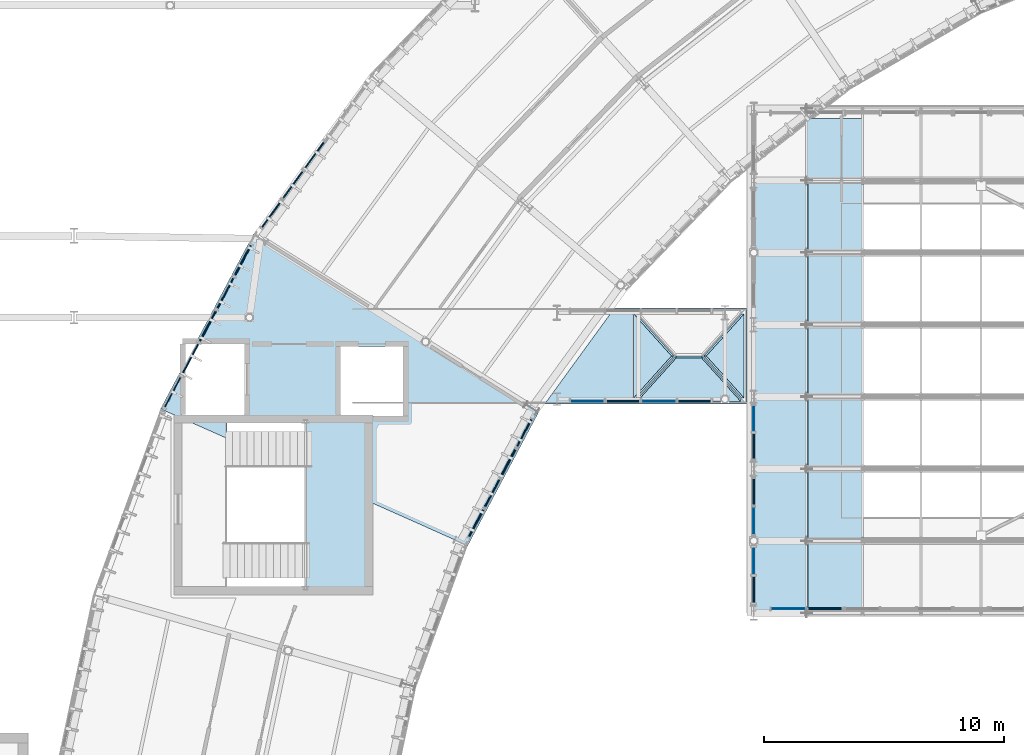
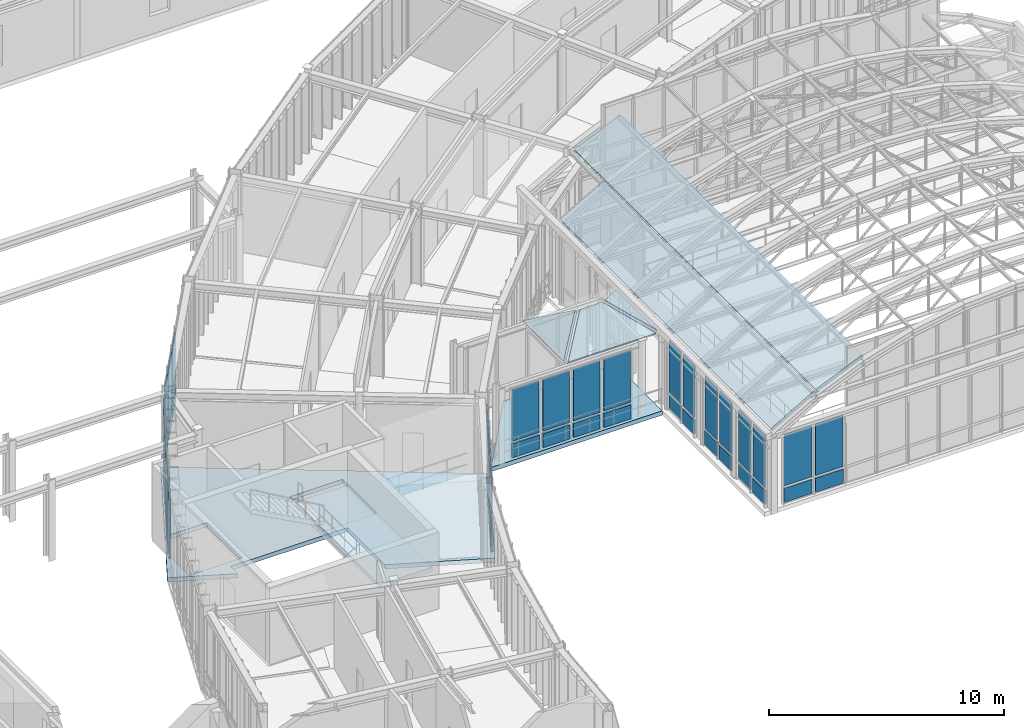
# One storey, part 95 of 148: 47 plates, 8 slabs, 9 elements without a shape of their own.
"""IFC4 building model written with IfcOpenShell, lengths in metres."""

from ifc_helpers import new_model, si_unit, direction, frame, origin, origin_2d, place, context, subcontext, project, spatial, polyline, rectangle, outline, extrude, material, layer, layer_set, type_object, element, aggregate, save


model = new_model("IFC4")

# Units and contexts
model_context = context("Model", 3, precision=1e-05, world=origin(), true_north=direction((0.0, 1.0)))
body_context = subcontext(model_context, "Body", "Model", "MODEL_VIEW")
ifc_project = project(units=[si_unit("LENGTHUNIT", "METRE"), si_unit("AREAUNIT", "SQUARE_METRE"), si_unit("VOLUMEUNIT", "CUBIC_METRE"), si_unit("PLANEANGLEUNIT", "RADIAN"), si_unit("MASSUNIT", "GRAM", prefix="KILO"), si_unit("THERMODYNAMICTEMPERATUREUNIT", "KELVIN"), si_unit("POWERUNIT", "WATT")], contexts=[model_context])

# Site, building, storey
site_placement = place(None, origin())
site = spatial("IfcSite", under=ifc_project, at=site_placement, CompositionType="ELEMENT")
building_placement = place(site_placement, origin())
building = spatial("IfcBuilding", under=site, at=building_placement, Name="Solvatero Civic Police Headquarters", CompositionType="ELEMENT")
storey_placement = place(building_placement, frame((0.0, 0.0, 5.10009765625)))
storey = spatial("IfcBuildingStorey", under=building, at=storey_placement, Name="L01", CompositionType="ELEMENT", Elevation=5.10009765625)

# Curtain wall, plates
ifc_material_1 = material(Name="Anodized Bronze Aluminium", Category="aluminium")
ifc_layer_1 = layer(ifc_material_1, 0.179931640625)
ifc_layer_set_1 = layer_set([ifc_layer_1], Name="Anodized Bronze Aluminium")
curtain_wall_type_1 = type_object("IfcCurtainWallType", Name="CW-ARC-OUT", PredefinedType="USERDEFINED", material=ifc_layer_set_1)
curtain_wall_1_placement = place(storey_placement, origin())
curtain_wall_1 = element("IfcCurtainWall", 1, at=curtain_wall_1_placement, inside=storey, type_object=curtain_wall_type_1, Name="Curtain Wall CW-R2-L01-ARC-OUT-B08", ObjectType="UNITISED", PredefinedType="USERDEFINED")
ifc_material_2 = material(Name="Triple Low-E Laminated Glass", Category="glass")
ifc_layer_2 = layer(ifc_material_2, 0.0380859375)
ifc_layer_set_2 = layer_set([ifc_layer_2], Name="Triple Low-E Laminated Glass")
plate_type_1 = type_object("IfcPlateType", Name="CWP-GLZ-38", PredefinedType="CURTAIN_PANEL", material=ifc_layer_set_2)
plate_1_placement = place(storey_placement, frame((46.495361328125, 60.5439453125, 0.91015625), z_axis=(0.0, 0.0, 1.0), x_axis=(-0.587785252292, -0.809016994375, 0.0)))
plate_1 = element("IfcPlate", 2, at=plate_1_placement, type_object=plate_type_1, Name="CW-R2-L01-ARC-OUT-B08 Vision Glazing 3", PredefinedType="CURTAIN_PANEL", context=body_context, shape_type="SweptSolid", body=[
    extrude(rectangle(XDim=1.326171875, YDim=0.0380859375, at=origin_2d()), origin(), (0.0, 0.0, 1.0), 2.969970703125),
])
plate_2_placement = place(storey_placement, frame((44.724853515625, 58.10693359375, 0.91015625), z_axis=(0.0, 0.0, 1.0), x_axis=(-0.587785252292, -0.809016994375, 0.0)))
plate_2 = element("IfcPlate", 3, at=plate_2_placement, type_object=plate_type_1, Name="CW-R2-L01-ARC-OUT-B08 Vision Glazing 5", PredefinedType="CURTAIN_PANEL", context=body_context, shape_type="SweptSolid", body=[
    extrude(rectangle(XDim=1.326171875, YDim=0.0380859375, at=origin_2d()), origin(), (0.0, 0.0, 1.0), 2.969970703125),
])

curtain_wall_2_placement = place(storey_placement, origin())
curtain_wall_2 = element("IfcCurtainWall", 4, at=curtain_wall_2_placement, inside=storey, type_object=curtain_wall_type_1, Name="Curtain Wall CW-R2-L01-ARC-OUT-B09", ObjectType="UNITISED", PredefinedType="USERDEFINED")
plate_3_placement = place(storey_placement, frame((42.798095703125, 54.8154296875, 0.91015625), z_axis=(0.0, 0.0, 1.0), x_axis=(-0.469471562786, -0.882947592859, 0.0)))
plate_3 = element("IfcPlate", 5, at=plate_3_placement, type_object=plate_type_1, Name="CW-R2-L01-ARC-OUT-B09 Vision Glazing 2", PredefinedType="CURTAIN_PANEL", context=body_context, shape_type="SweptSolid", body=[
    extrude(rectangle(XDim=1.377685546875, YDim=0.0380859375, at=origin_2d()), origin(), (0.0, 0.0, 1.0), 2.969970703125),
])
plate_4_placement = place(storey_placement, frame((41.33544921875, 52.064697265625, 0.91015625), z_axis=(0.0, 0.0, 1.0), x_axis=(-0.469471562786, -0.882947592859, 0.0)))
plate_4 = element("IfcPlate", 6, at=plate_4_placement, type_object=plate_type_1, Name="CW-R2-L01-ARC-OUT-B09 Vision Glazing 4", PredefinedType="CURTAIN_PANEL", context=body_context, shape_type="SweptSolid", body=[
    extrude(rectangle(XDim=1.377685546875, YDim=0.0380859375, at=origin_2d()), origin(), (0.0, 0.0, 1.0), 2.969970703125),
])

ifc_layer_3 = layer(ifc_material_1, 0.179931640625)
ifc_layer_set_3 = layer_set([ifc_layer_3], Name="Anodized Bronze Aluminium")
curtain_wall_type_2 = type_object("IfcCurtainWallType", Name="CW-ARC-IN", PredefinedType="USERDEFINED", material=ifc_layer_set_3)
curtain_wall_3_placement = place(storey_placement, origin())
curtain_wall_3 = element("IfcCurtainWall", 7, at=curtain_wall_3_placement, inside=storey, type_object=curtain_wall_type_2, Name="Curtain Wall CW-R2-L01-ARC-IN-B09", ObjectType="UNITISED", PredefinedType="USERDEFINED")
plate_5_placement = place(storey_placement, frame((55.250244140625, 48.996337890625, 0.91015625), z_axis=(0.0, 0.0, 1.0), x_axis=(-0.469471562786, -0.882947592859, 0.0)))
plate_5 = element("IfcPlate", 8, at=plate_5_placement, type_object=plate_type_1, Name="CW-R2-L01-ARC-IN-B09 Vision Glazing 1", PredefinedType="CURTAIN_PANEL", context=body_context, shape_type="SweptSolid", body=[
    extrude(rectangle(XDim=1.2412109375, YDim=0.0380859375, at=origin_2d()), origin(), (0.0, 0.0, 1.0), 2.969970703125),
])
plate_6_placement = place(storey_placement, frame((53.915771484375, 46.48681640625, 0.91015625), z_axis=(0.0, 0.0, 1.0), x_axis=(-0.469471562786, -0.882947592859, 0.0)))
plate_6 = element("IfcPlate", 9, at=plate_6_placement, type_object=plate_type_1, Name="CW-R2-L01-ARC-IN-B09 Vision Glazing 3", PredefinedType="CURTAIN_PANEL", context=body_context, shape_type="SweptSolid", body=[
    extrude(rectangle(XDim=1.2412109375, YDim=0.0380859375, at=origin_2d()), origin(), (0.0, 0.0, 1.0), 2.969970703125),
])

# Curtain wall, plate
ifc_layer_4 = layer(ifc_material_1, 0.179931640625)
ifc_layer_set_4 = layer_set([ifc_layer_4], Name="Anodized Bronze Aluminium")
curtain_wall_type_3 = type_object("IfcCurtainWallType", Name="CW-HAL-GLZ", PredefinedType="USERDEFINED", material=ifc_layer_set_4)
curtain_wall_4_placement = place(storey_placement, origin())
curtain_wall_4 = element("IfcCurtainWall", 10, at=curtain_wall_4_placement, inside=storey, type_object=curtain_wall_type_3, Name="Curtain Wall CW-R2-L01-V2-W-B1", ObjectType="UNITISED", PredefinedType="USERDEFINED")
plate_7_placement = place(storey_placement, frame((64.800048828125, 43.68359375, 0.909912109375), z_axis=(0.0, 0.0, 1.0), x_axis=(0.0, 1.0, 0.0)))
plate_7 = element("IfcPlate", 11, at=plate_7_placement, type_object=plate_type_1, Name="CW-R2-L01-V2-W-B1 Vision Glazing 2", PredefinedType="CURTAIN_PANEL", context=body_context, shape_type="SweptSolid", body=[
    extrude(rectangle(XDim=1.049072265625, YDim=0.0380859375, at=origin_2d()), origin(), (0.0, 0.0, 1.0), 2.68994140625),
])

curtain_wall_5_placement = place(storey_placement, origin())
curtain_wall_5 = element("IfcCurtainWall", 12, at=curtain_wall_5_placement, inside=storey, type_object=curtain_wall_type_3, Name="Curtain Wall CW-R2-L01-V2-W-B2", ObjectType="UNITISED", PredefinedType="USERDEFINED")
plate_8_placement = place(storey_placement, frame((64.800048828125, 45.31396484375, 0.909912109375), z_axis=(0.0, 0.0, 1.0), x_axis=(0.0, 1.0, 0.0)))
plate_8 = element("IfcPlate", 13, at=plate_8_placement, type_object=plate_type_1, Name="CW-R2-L01-V2-W-B2 Vision Glazing 1", PredefinedType="CURTAIN_PANEL", context=body_context, shape_type="SweptSolid", body=[
    extrude(rectangle(XDim=1.0439453125, YDim=0.0380859375, at=origin_2d()), origin(), (0.0, 0.0, 1.0), 2.68994140625),
])

curtain_wall_6_placement = place(storey_placement, origin())
curtain_wall_6 = element("IfcCurtainWall", 14, at=curtain_wall_6_placement, inside=storey, type_object=curtain_wall_type_3, Name="Curtain Wall CW-R2-L01-V2-W-B3", ObjectType="UNITISED", PredefinedType="USERDEFINED")
plate_9_placement = place(storey_placement, frame((64.800048828125, 49.611083984375, 0.909912109375), z_axis=(0.0, 0.0, 1.0), x_axis=(0.0, 1.0, 0.0)))
plate_9 = element("IfcPlate", 15, at=plate_9_placement, type_object=plate_type_1, Name="CW-R2-L01-V2-W-B3 Vision Glazing 2", PredefinedType="CURTAIN_PANEL", context=body_context, shape_type="SweptSolid", body=[
    extrude(rectangle(XDim=0.993896484375, YDim=0.0380859375, at=origin_2d()), origin(), (0.0, 0.0, 1.0), 2.68994140625),
])

# Curtain wall, plates
ifc_layer_5 = layer(ifc_material_1, 0.179931640625)
ifc_layer_set_5 = layer_set([ifc_layer_5], Name="Anodized Bronze Aluminium")
curtain_wall_type_4 = type_object("IfcCurtainWallType", Name="CW-SB-GLZ", PredefinedType="USERDEFINED", material=ifc_layer_set_5)
curtain_wall_7_placement = place(storey_placement, origin())
curtain_wall_7 = element("IfcCurtainWall", 16, at=curtain_wall_7_placement, inside=storey, type_object=curtain_wall_type_4, Name="Curtain Wall CW-R2-L01-V2LK-S", ObjectType="UNITISED", PredefinedType="USERDEFINED")
plate_10_placement = place(storey_placement, frame((57.857421875, 50.320068359375, 0.909912109375), z_axis=(0.0, 0.0, 1.0), x_axis=(1.0, 0.0, 0.0)))
plate_10 = element("IfcPlate", 17, at=plate_10_placement, type_object=plate_type_1, Name="CW-R2-L01-V2LK-S Vision Glazing 1", PredefinedType="CURTAIN_PANEL", context=body_context, shape_type="SweptSolid", body=[
    extrude(rectangle(XDim=1.31494140625, YDim=0.0380859375, at=origin_2d()), origin(), (0.0, 0.0, 1.0), 2.68994140625),
])
plate_11_placement = place(storey_placement, frame((60.847412109375, 50.320068359375, 0.909912109375), z_axis=(0.0, 0.0, 1.0), x_axis=(1.0, 0.0, 0.0)))
plate_11 = element("IfcPlate", 18, at=plate_11_placement, type_object=plate_type_1, Name="CW-R2-L01-V2LK-S Vision Glazing 3", PredefinedType="CURTAIN_PANEL", context=body_context, shape_type="SweptSolid", body=[
    extrude(rectangle(XDim=1.31494140625, YDim=0.0380859375, at=origin_2d()), origin(), (0.0, 0.0, 1.0), 2.68994140625),
])

# Curtain wall, plate
curtain_wall_8_placement = place(storey_placement, origin())
curtain_wall_8 = element("IfcCurtainWall", 19, at=curtain_wall_8_placement, inside=storey, type_object=curtain_wall_type_3, Name="Curtain Wall CW-R2-L01-V2-S", ObjectType="UNITISED", PredefinedType="USERDEFINED")
plate_12_placement = place(storey_placement, frame((66.226806640625, 41.679931640625, 0.909912109375), z_axis=(0.0, 0.0, 1.0), x_axis=(1.0, 0.0, 0.0)))
plate_12 = element("IfcPlate", 20, at=plate_12_placement, type_object=plate_type_1, Name="CW-R2-L01-V2-S Vision Glazing 1", PredefinedType="CURTAIN_PANEL", context=body_context, shape_type="SweptSolid", body=[
    extrude(rectangle(XDim=1.353271484375, YDim=0.0380859375, at=origin_2d()), origin(), (0.0, 0.0, 1.0), 2.64990234375),
])

# Plate
ifc_material_3 = material(Name="Acoustic Ballistic Laminated Glass", Category="glass")
ifc_layer_6 = layer(ifc_material_3, 0.0439453125)
ifc_layer_set_6 = layer_set([ifc_layer_6], Name="Acoustic Ballistic Laminated Glass")
plate_type_2 = type_object("IfcPlateType", Name="CWP-GLZ-44", PredefinedType="CURTAIN_PANEL", material=ifc_layer_set_6)
plate_13_placement = place(storey_placement, frame((45.610107421875, 59.325439453125, 0.91015625), z_axis=(0.0, 0.0, 1.0), x_axis=(-0.587785252292, -0.809016994375, 0.0)))
plate_13 = element("IfcPlate", 21, at=plate_13_placement, type_object=plate_type_2, Name="CW-R2-L01-ARC-OUT-B08 Vision Glazing 4", PredefinedType="CURTAIN_PANEL", context=body_context, shape_type="SweptSolid", body=[
    extrude(rectangle(XDim=1.326171875, YDim=0.0439453125, at=origin_2d()), origin(), (0.0, 0.0, 1.0), 2.969970703125),
])

plate_14_placement = place(storey_placement, frame((43.529296875, 56.19091796875, 0.91015625), z_axis=(0.0, 0.0, 1.0), x_axis=(-0.469471562786, -0.882947592859, 0.0)))
plate_14 = element("IfcPlate", 22, at=plate_14_placement, type_object=plate_type_2, Name="CW-R2-L01-ARC-OUT-B09 Vision Glazing 1", PredefinedType="CURTAIN_PANEL", context=body_context, shape_type="SweptSolid", body=[
    extrude(rectangle(XDim=1.377685546875, YDim=0.0439453125, at=origin_2d()), origin(), (0.0, 0.0, 1.0), 2.969970703125),
])

plate_15_placement = place(storey_placement, frame((42.06689453125, 53.440185546875, 0.91015625), z_axis=(0.0, 0.0, 1.0), x_axis=(-0.469471562786, -0.882947592859, 0.0)))
plate_15 = element("IfcPlate", 23, at=plate_15_placement, type_object=plate_type_2, Name="CW-R2-L01-ARC-OUT-B09 Vision Glazing 3", PredefinedType="CURTAIN_PANEL", context=body_context, shape_type="SweptSolid", body=[
    extrude(rectangle(XDim=1.377685546875, YDim=0.0439453125, at=origin_2d()), origin(), (0.0, 0.0, 1.0), 2.969970703125),
])

plate_16_placement = place(storey_placement, frame((40.604248046875, 50.689453125, 0.91015625), z_axis=(0.0, 0.0, 1.0), x_axis=(-0.469471562786, -0.882947592859, 0.0)))
plate_16 = element("IfcPlate", 24, at=plate_16_placement, type_object=plate_type_2, Name="CW-R2-L01-ARC-OUT-B09 Vision Glazing 5", PredefinedType="CURTAIN_PANEL", context=body_context, shape_type="SweptSolid", body=[
    extrude(rectangle(XDim=1.377685546875, YDim=0.0439453125, at=origin_2d()), origin(), (0.0, 0.0, 1.0), 2.969970703125),
])

plate_17_placement = place(storey_placement, frame((54.5830078125, 47.741455078125, 0.91015625), z_axis=(0.0, 0.0, 1.0), x_axis=(-0.469471562786, -0.882947592859, 0.0)))
plate_17 = element("IfcPlate", 25, at=plate_17_placement, type_object=plate_type_2, Name="CW-R2-L01-ARC-IN-B09 Vision Glazing 2", PredefinedType="CURTAIN_PANEL", context=body_context, shape_type="SweptSolid", body=[
    extrude(rectangle(XDim=1.2412109375, YDim=0.0439453125, at=origin_2d()), origin(), (0.0, 0.0, 1.0), 2.969970703125),
])

plate_18_placement = place(storey_placement, frame((53.24853515625, 45.231689453125, 0.91015625), z_axis=(0.0, 0.0, 1.0), x_axis=(-0.469471562786, -0.882947592859, 0.0)))
plate_18 = element("IfcPlate", 26, at=plate_18_placement, type_object=plate_type_2, Name="CW-R2-L01-ARC-IN-B09 Vision Glazing 4", PredefinedType="CURTAIN_PANEL", context=body_context, shape_type="SweptSolid", body=[
    extrude(rectangle(XDim=1.2412109375, YDim=0.0439453125, at=origin_2d()), origin(), (0.0, 0.0, 1.0), 2.969970703125),
])

plate_19_placement = place(storey_placement, frame((64.800048828125, 42.45458984375, 0.909912109375), z_axis=(0.0, 0.0, 1.0), x_axis=(0.0, 1.0, 0.0)))
plate_19 = element("IfcPlate", 27, at=plate_19_placement, type_object=plate_type_2, Name="CW-R2-L01-V2-W-B1 Vision Glazing 1", PredefinedType="CURTAIN_PANEL", context=body_context, shape_type="SweptSolid", body=[
    extrude(rectangle(XDim=1.049072265625, YDim=0.0439453125, at=origin_2d()), origin(), (0.0, 0.0, 1.0), 2.68994140625),
])

plate_20_placement = place(storey_placement, frame((64.800048828125, 46.5380859375, 0.909912109375), z_axis=(0.0, 0.0, 1.0), x_axis=(0.0, 1.0, 0.0)))
plate_20 = element("IfcPlate", 28, at=plate_20_placement, type_object=plate_type_2, Name="CW-R2-L01-V2-W-B2 Vision Glazing 2", PredefinedType="CURTAIN_PANEL", context=body_context, shape_type="SweptSolid", body=[
    extrude(rectangle(XDim=1.0439453125, YDim=0.0439453125, at=origin_2d()), origin(), (0.0, 0.0, 1.0), 2.68994140625),
])

plate_21_placement = place(storey_placement, frame((64.800048828125, 48.43701171875, 0.909912109375), z_axis=(0.0, 0.0, 1.0), x_axis=(0.0, 1.0, 0.0)))
plate_21 = element("IfcPlate", 29, at=plate_21_placement, type_object=plate_type_2, Name="CW-R2-L01-V2-W-B3 Vision Glazing 1", PredefinedType="CURTAIN_PANEL", context=body_context, shape_type="SweptSolid", body=[
    extrude(rectangle(XDim=0.993896484375, YDim=0.0439453125, at=origin_2d()), origin(), (0.0, 0.0, 1.0), 2.68994140625),
])

plate_22_placement = place(storey_placement, frame((59.3525390625, 50.320068359375, 0.909912109375), z_axis=(0.0, 0.0, 1.0), x_axis=(1.0, 0.0, 0.0)))
plate_22 = element("IfcPlate", 30, at=plate_22_placement, type_object=plate_type_2, Name="CW-R2-L01-V2LK-S Vision Glazing 2", PredefinedType="CURTAIN_PANEL", context=body_context, shape_type="SweptSolid", body=[
    extrude(rectangle(XDim=1.31494140625, YDim=0.0439453125, at=origin_2d()), origin(), (0.0, 0.0, 1.0), 2.68994140625),
])

plate_23_placement = place(storey_placement, frame((62.342529296875, 50.320068359375, 0.909912109375), z_axis=(0.0, 0.0, 1.0), x_axis=(1.0, 0.0, 0.0)))
plate_23 = element("IfcPlate", 31, at=plate_23_placement, type_object=plate_type_2, Name="CW-R2-L01-V2LK-S Vision Glazing 4", PredefinedType="CURTAIN_PANEL", context=body_context, shape_type="SweptSolid", body=[
    extrude(rectangle(XDim=1.31494140625, YDim=0.0439453125, at=origin_2d()), origin(), (0.0, 0.0, 1.0), 2.68994140625),
])

plate_24_placement = place(storey_placement, frame((67.760009765625, 41.679931640625, 0.909912109375), z_axis=(0.0, 0.0, 1.0), x_axis=(1.0, 0.0, 0.0)))
plate_24 = element("IfcPlate", 32, at=plate_24_placement, type_object=plate_type_2, Name="CW-R2-L01-V2-S Vision Glazing 2", PredefinedType="CURTAIN_PANEL", context=body_context, shape_type="SweptSolid", body=[
    extrude(rectangle(XDim=1.353271484375, YDim=0.0439453125, at=origin_2d()), origin(), (0.0, 0.0, 1.0), 2.64990234375),
])

ifc_material_4 = material(Name="Insulated Bronze Aluminium Spandrel", Category="aluminium")
ifc_layer_7 = layer(ifc_material_4, 0.06005859375)
ifc_layer_set_7 = layer_set([ifc_layer_7], Name="Insulated Bronze Aluminium Spandrel")
plate_type_3 = type_object("IfcPlateType", Name="CWP-SPN-60", PredefinedType="CURTAIN_PANEL", material=ifc_layer_set_7)
plate_25_placement = place(storey_placement, frame((46.495361328125, 60.5439453125, 0.059814453125), z_axis=(0.0, 0.0, 1.0), x_axis=(-0.587785252292, -0.809016994375, 0.0)))
plate_25 = element("IfcPlate", 33, at=plate_25_placement, type_object=plate_type_3, Name="CW-R2-L01-ARC-OUT-B08 Spandrel Panel 3", PredefinedType="CURTAIN_PANEL", context=body_context, shape_type="SweptSolid", body=[
    extrude(rectangle(XDim=1.326171875, YDim=0.06005859375, at=origin_2d()), origin(), (0.0, 0.0, 1.0), 0.72998046875),
])

plate_26_placement = place(storey_placement, frame((44.724853515625, 58.10693359375, 0.059814453125), z_axis=(0.0, 0.0, 1.0), x_axis=(-0.587785252292, -0.809016994375, 0.0)))
plate_26 = element("IfcPlate", 34, at=plate_26_placement, type_object=plate_type_3, Name="CW-R2-L01-ARC-OUT-B08 Spandrel Panel 5", PredefinedType="CURTAIN_PANEL", context=body_context, shape_type="SweptSolid", body=[
    extrude(rectangle(XDim=1.326171875, YDim=0.06005859375, at=origin_2d()), origin(), (0.0, 0.0, 1.0), 0.72998046875),
])

plate_27_placement = place(storey_placement, frame((42.798095703125, 54.8154296875, 0.059814453125), z_axis=(0.0, 0.0, 1.0), x_axis=(-0.469471562786, -0.882947592859, 0.0)))
plate_27 = element("IfcPlate", 35, at=plate_27_placement, type_object=plate_type_3, Name="CW-R2-L01-ARC-OUT-B09 Spandrel Panel 2", PredefinedType="CURTAIN_PANEL", context=body_context, shape_type="SweptSolid", body=[
    extrude(rectangle(XDim=1.377685546875, YDim=0.06005859375, at=origin_2d()), origin(), (0.0, 0.0, 1.0), 0.72998046875),
])

plate_28_placement = place(storey_placement, frame((41.33544921875, 52.064697265625, 0.059814453125), z_axis=(0.0, 0.0, 1.0), x_axis=(-0.469471562786, -0.882947592859, 0.0)))
plate_28 = element("IfcPlate", 36, at=plate_28_placement, type_object=plate_type_3, Name="CW-R2-L01-ARC-OUT-B09 Spandrel Panel 4", PredefinedType="CURTAIN_PANEL", context=body_context, shape_type="SweptSolid", body=[
    extrude(rectangle(XDim=1.377685546875, YDim=0.06005859375, at=origin_2d()), origin(), (0.0, 0.0, 1.0), 0.72998046875),
])

plate_29_placement = place(storey_placement, frame((55.250244140625, 48.996337890625, 0.059814453125), z_axis=(0.0, 0.0, 1.0), x_axis=(-0.469471562786, -0.882947592859, 0.0)))
plate_29 = element("IfcPlate", 37, at=plate_29_placement, type_object=plate_type_3, Name="CW-R2-L01-ARC-IN-B09 Spandrel Panel 1", PredefinedType="CURTAIN_PANEL", context=body_context, shape_type="SweptSolid", body=[
    extrude(rectangle(XDim=1.2412109375, YDim=0.06005859375, at=origin_2d()), origin(), (0.0, 0.0, 1.0), 0.72998046875),
])

plate_30_placement = place(storey_placement, frame((53.915771484375, 46.48681640625, 0.059814453125), z_axis=(0.0, 0.0, 1.0), x_axis=(-0.469471562786, -0.882947592859, 0.0)))
plate_30 = element("IfcPlate", 38, at=plate_30_placement, type_object=plate_type_3, Name="CW-R2-L01-ARC-IN-B09 Spandrel Panel 3", PredefinedType="CURTAIN_PANEL", context=body_context, shape_type="SweptSolid", body=[
    extrude(rectangle(XDim=1.2412109375, YDim=0.06005859375, at=origin_2d()), origin(), (0.0, 0.0, 1.0), 0.72998046875),
])

plate_31_placement = place(storey_placement, frame((64.800048828125, 43.68359375, 0.059814453125), z_axis=(0.0, 0.0, 1.0), x_axis=(0.0, 1.0, 0.0)))
plate_31 = element("IfcPlate", 39, at=plate_31_placement, type_object=plate_type_3, Name="CW-R2-L01-V2-W-B1 Spandrel Panel 2", PredefinedType="CURTAIN_PANEL", context=body_context, shape_type="SweptSolid", body=[
    extrude(rectangle(XDim=1.049072265625, YDim=0.06005859375, at=origin_2d()), origin(), (0.0, 0.0, 1.0), 0.72998046875),
])

plate_32_placement = place(storey_placement, frame((64.800048828125, 45.31396484375, 0.059814453125), z_axis=(0.0, 0.0, 1.0), x_axis=(0.0, 1.0, 0.0)))
plate_32 = element("IfcPlate", 40, at=plate_32_placement, type_object=plate_type_3, Name="CW-R2-L01-V2-W-B2 Spandrel Panel 1", PredefinedType="CURTAIN_PANEL", context=body_context, shape_type="SweptSolid", body=[
    extrude(rectangle(XDim=1.0439453125, YDim=0.06005859375, at=origin_2d()), origin(), (0.0, 0.0, 1.0), 0.72998046875),
])

plate_33_placement = place(storey_placement, frame((64.800048828125, 49.611083984375, 0.059814453125), z_axis=(0.0, 0.0, 1.0), x_axis=(0.0, 1.0, 0.0)))
plate_33 = element("IfcPlate", 41, at=plate_33_placement, type_object=plate_type_3, Name="CW-R2-L01-V2-W-B3 Spandrel Panel 2", PredefinedType="CURTAIN_PANEL", context=body_context, shape_type="SweptSolid", body=[
    extrude(rectangle(XDim=0.993896484375, YDim=0.06005859375, at=origin_2d()), origin(), (0.0, 0.0, 1.0), 0.72998046875),
])

plate_34_placement = place(storey_placement, frame((57.857421875, 50.320068359375, 0.059814453125), z_axis=(0.0, 0.0, 1.0), x_axis=(1.0, 0.0, 0.0)))
plate_34 = element("IfcPlate", 42, at=plate_34_placement, type_object=plate_type_3, Name="CW-R2-L01-V2LK-S Spandrel Panel 1", PredefinedType="CURTAIN_PANEL", context=body_context, shape_type="SweptSolid", body=[
    extrude(rectangle(XDim=1.31494140625, YDim=0.06005859375, at=origin_2d()), origin(), (0.0, 0.0, 1.0), 0.72998046875),
])

plate_35_placement = place(storey_placement, frame((60.847412109375, 50.320068359375, 0.059814453125), z_axis=(0.0, 0.0, 1.0), x_axis=(1.0, 0.0, 0.0)))
plate_35 = element("IfcPlate", 43, at=plate_35_placement, type_object=plate_type_3, Name="CW-R2-L01-V2LK-S Spandrel Panel 3", PredefinedType="CURTAIN_PANEL", context=body_context, shape_type="SweptSolid", body=[
    extrude(rectangle(XDim=1.31494140625, YDim=0.06005859375, at=origin_2d()), origin(), (0.0, 0.0, 1.0), 0.72998046875),
])

plate_36_placement = place(storey_placement, frame((66.226806640625, 41.679931640625, 0.059814453125), z_axis=(0.0, 0.0, 1.0), x_axis=(1.0, 0.0, 0.0)))
plate_36 = element("IfcPlate", 44, at=plate_36_placement, type_object=plate_type_3, Name="CW-R2-L01-V2-S Spandrel Panel 1", PredefinedType="CURTAIN_PANEL", context=body_context, shape_type="SweptSolid", body=[
    extrude(rectangle(XDim=1.353271484375, YDim=0.06005859375, at=origin_2d()), origin(), (0.0, 0.0, 1.0), 0.72998046875),
])

ifc_material_5 = material(Name="Limestone Veneer Spandrel Panel", Category="masonry")
ifc_layer_8 = layer(ifc_material_5, 0.074951171875)
ifc_layer_set_8 = layer_set([ifc_layer_8], Name="Limestone Veneer Spandrel Panel")
plate_type_4 = type_object("IfcPlateType", Name="CWP-SPN-75", PredefinedType="CURTAIN_PANEL", material=ifc_layer_set_8)
plate_37_placement = place(storey_placement, frame((45.610107421875, 59.325439453125, 0.059814453125), z_axis=(0.0, 0.0, 1.0), x_axis=(-0.587785252292, -0.809016994375, 0.0)))
plate_37 = element("IfcPlate", 45, at=plate_37_placement, type_object=plate_type_4, Name="CW-R2-L01-ARC-OUT-B08 Spandrel Panel 4", PredefinedType="CURTAIN_PANEL", context=body_context, shape_type="SweptSolid", body=[
    extrude(rectangle(XDim=1.326171875, YDim=0.074951171875, at=origin_2d()), origin(), (0.0, 0.0, 1.0), 0.72998046875),
])

aggregate(curtain_wall_1, [plate_25, plate_1, plate_37, plate_13, plate_26, plate_2])

plate_38_placement = place(storey_placement, frame((43.529296875, 56.19091796875, 0.059814453125), z_axis=(0.0, 0.0, 1.0), x_axis=(-0.469471562786, -0.882947592859, 0.0)))
plate_38 = element("IfcPlate", 46, at=plate_38_placement, type_object=plate_type_4, Name="CW-R2-L01-ARC-OUT-B09 Spandrel Panel 1", PredefinedType="CURTAIN_PANEL", context=body_context, shape_type="SweptSolid", body=[
    extrude(rectangle(XDim=1.377685546875, YDim=0.074951171875, at=origin_2d()), origin(), (0.0, 0.0, 1.0), 0.72998046875),
])

plate_39_placement = place(storey_placement, frame((42.06689453125, 53.440185546875, 0.059814453125), z_axis=(0.0, 0.0, 1.0), x_axis=(-0.469471562786, -0.882947592859, 0.0)))
plate_39 = element("IfcPlate", 47, at=plate_39_placement, type_object=plate_type_4, Name="CW-R2-L01-ARC-OUT-B09 Spandrel Panel 3", PredefinedType="CURTAIN_PANEL", context=body_context, shape_type="SweptSolid", body=[
    extrude(rectangle(XDim=1.377685546875, YDim=0.074951171875, at=origin_2d()), origin(), (0.0, 0.0, 1.0), 0.72998046875),
])

aggregate(curtain_wall_2, [plate_38, plate_14, plate_27, plate_3, plate_39, plate_15, plate_28, plate_4, plate_16])

plate_40_placement = place(storey_placement, frame((54.5830078125, 47.741455078125, 0.059814453125), z_axis=(0.0, 0.0, 1.0), x_axis=(-0.469471562786, -0.882947592859, 0.0)))
plate_40 = element("IfcPlate", 48, at=plate_40_placement, type_object=plate_type_4, Name="CW-R2-L01-ARC-IN-B09 Spandrel Panel 2", PredefinedType="CURTAIN_PANEL", context=body_context, shape_type="SweptSolid", body=[
    extrude(rectangle(XDim=1.2412109375, YDim=0.074951171875, at=origin_2d()), origin(), (0.0, 0.0, 1.0), 0.72998046875),
])

plate_41_placement = place(storey_placement, frame((53.24853515625, 45.231689453125, 0.059814453125), z_axis=(0.0, 0.0, 1.0), x_axis=(-0.469471562786, -0.882947592859, 0.0)))
plate_41 = element("IfcPlate", 49, at=plate_41_placement, type_object=plate_type_4, Name="CW-R2-L01-ARC-IN-B09 Spandrel Panel 4", PredefinedType="CURTAIN_PANEL", context=body_context, shape_type="SweptSolid", body=[
    extrude(rectangle(XDim=1.2412109375, YDim=0.074951171875, at=origin_2d()), origin(), (0.0, 0.0, 1.0), 0.72998046875),
])

aggregate(curtain_wall_3, [plate_29, plate_5, plate_40, plate_17, plate_30, plate_6, plate_41, plate_18])

plate_42_placement = place(storey_placement, frame((64.800048828125, 42.45458984375, 0.059814453125), z_axis=(0.0, 0.0, 1.0), x_axis=(0.0, 1.0, 0.0)))
plate_42 = element("IfcPlate", 50, at=plate_42_placement, type_object=plate_type_4, Name="CW-R2-L01-V2-W-B1 Spandrel Panel 1", PredefinedType="CURTAIN_PANEL", context=body_context, shape_type="SweptSolid", body=[
    extrude(rectangle(XDim=1.049072265625, YDim=0.074951171875, at=origin_2d()), origin(), (0.0, 0.0, 1.0), 0.72998046875),
])

aggregate(curtain_wall_4, [plate_42, plate_19, plate_31, plate_7])

plate_43_placement = place(storey_placement, frame((64.800048828125, 46.5380859375, 0.059814453125), z_axis=(0.0, 0.0, 1.0), x_axis=(0.0, 1.0, 0.0)))
plate_43 = element("IfcPlate", 51, at=plate_43_placement, type_object=plate_type_4, Name="CW-R2-L01-V2-W-B2 Spandrel Panel 2", PredefinedType="CURTAIN_PANEL", context=body_context, shape_type="SweptSolid", body=[
    extrude(rectangle(XDim=1.0439453125, YDim=0.074951171875, at=origin_2d()), origin(), (0.0, 0.0, 1.0), 0.72998046875),
])

aggregate(curtain_wall_5, [plate_32, plate_8, plate_43, plate_20])

plate_44_placement = place(storey_placement, frame((64.800048828125, 48.43701171875, 0.059814453125), z_axis=(0.0, 0.0, 1.0), x_axis=(0.0, 1.0, 0.0)))
plate_44 = element("IfcPlate", 52, at=plate_44_placement, type_object=plate_type_4, Name="CW-R2-L01-V2-W-B3 Spandrel Panel 1", PredefinedType="CURTAIN_PANEL", context=body_context, shape_type="SweptSolid", body=[
    extrude(rectangle(XDim=0.993896484375, YDim=0.074951171875, at=origin_2d()), origin(), (0.0, 0.0, 1.0), 0.72998046875),
])

aggregate(curtain_wall_6, [plate_44, plate_21, plate_33, plate_9])

plate_45_placement = place(storey_placement, frame((59.3525390625, 50.320068359375, 0.059814453125), z_axis=(0.0, 0.0, 1.0), x_axis=(1.0, 0.0, 0.0)))
plate_45 = element("IfcPlate", 53, at=plate_45_placement, type_object=plate_type_4, Name="CW-R2-L01-V2LK-S Spandrel Panel 2", PredefinedType="CURTAIN_PANEL", context=body_context, shape_type="SweptSolid", body=[
    extrude(rectangle(XDim=1.31494140625, YDim=0.074951171875, at=origin_2d()), origin(), (0.0, 0.0, 1.0), 0.72998046875),
])

plate_46_placement = place(storey_placement, frame((62.342529296875, 50.320068359375, 0.059814453125), z_axis=(0.0, 0.0, 1.0), x_axis=(1.0, 0.0, 0.0)))
plate_46 = element("IfcPlate", 54, at=plate_46_placement, type_object=plate_type_4, Name="CW-R2-L01-V2LK-S Spandrel Panel 4", PredefinedType="CURTAIN_PANEL", context=body_context, shape_type="SweptSolid", body=[
    extrude(rectangle(XDim=1.31494140625, YDim=0.074951171875, at=origin_2d()), origin(), (0.0, 0.0, 1.0), 0.72998046875),
])

aggregate(curtain_wall_7, [plate_34, plate_10, plate_45, plate_22, plate_35, plate_11, plate_46, plate_23])

plate_47_placement = place(storey_placement, frame((67.760009765625, 41.679931640625, 0.059814453125), z_axis=(0.0, 0.0, 1.0), x_axis=(1.0, 0.0, 0.0)))
plate_47 = element("IfcPlate", 55, at=plate_47_placement, type_object=plate_type_4, Name="CW-R2-L01-V2-S Spandrel Panel 2", PredefinedType="CURTAIN_PANEL", context=body_context, shape_type="SweptSolid", body=[
    extrude(rectangle(XDim=1.353271484375, YDim=0.074951171875, at=origin_2d()), origin(), (0.0, 0.0, 1.0), 0.72998046875),
])

aggregate(curtain_wall_8, [plate_36, plate_12, plate_47, plate_24])

# Slabs
ifc_material_6 = material(Name="Concrete C35/45", Category="concrete")
ifc_layer_9 = layer(ifc_material_6, 0.199951171875)
ifc_layer_set_9 = layer_set([ifc_layer_9], Name="Concrete C35/45")
slab_type_1 = type_object("IfcSlabType", Name="SLB-COMP-200", PredefinedType="FLOOR", material=ifc_layer_set_9)
slab_1_placement = place(storey_placement, frame((0.0, 0.0, -0.22021484375)))
element("IfcSlab", 56, at=slab_1_placement, inside=storey, type_object=slab_type_1, Name="L01 Operations Arc Floor Slab Bay 9", PredefinedType="FLOOR", context=body_context, shape_type="SweptSolid", body=[
    extrude(outline(polyline([(52.890380859375, 44.302978515625), (48.60009765625, 46.21337890625), (48.60009765625, 49.39990234375), (42.860107421875, 49.39990234375), (42.860107421875, 48.76904296875), (40.100830078125, 49.99755859375), (41.0, 51.688720703125), (41.0, 49.699951171875), (43.60009765625, 49.699951171875), (43.60009765625, 52.699951171875), (41.537841796875, 52.699951171875), (43.96435546875, 57.263427734375), (55.8369140625, 49.844482421875), (52.890380859375, 44.302978515625)]), holes=[polyline([(50.199951171875, 49.699951171875), (50.199951171875, 52.60009765625), (47.60009765625, 52.60009765625), (47.60009765625, 49.699951171875), (50.199951171875, 49.699951171875)])]), origin(), (0.0, 0.0, 1.0), 0.22021484375),
])
ifc_layer_10 = layer(ifc_material_6, 0.219970703125)
ifc_layer_set_10 = layer_set([ifc_layer_10], Name="Concrete C35/45")
slab_type_2 = type_object("IfcSlabType", Name="SLB-COMP-220", PredefinedType="FLOOR", material=ifc_layer_set_10)
slab_2_placement = place(storey_placement, frame((0.0, 0.0, -0.22021484375)))
element("IfcSlab", 57, at=slab_2_placement, inside=storey, type_object=slab_type_2, Name="L01 Suspended floor slab SLB-L01-V2LK", PredefinedType="FLOOR", context=body_context, shape_type="SweptSolid", body=[
    extrude(outline(polyline([(64.498046875, 54.199951171875), (64.498046875, 50.199951171875), (56.09716796875, 50.199951171875), (59.00341796875, 54.199951171875), (64.498046875, 54.199951171875)])), origin(), (0.0, 0.0, 1.0), 0.22021484375),
])

# Stair, slab
ifc_material_7 = material(Name="Precast concrete C40/50", Category="concrete")
stair_type = type_object("IfcStairType", Name="STR-C150-420", PredefinedType="HALF_TURN_STAIR", material=ifc_material_7)
stair_placement = place(storey_placement, origin())
stair = element("IfcStair", 58, at=stair_placement, inside=storey, type_object=stair_type, Name="Protected Exit Stair ST-C2 (L01 to L02)", PredefinedType="HALF_TURN_STAIR")
ifc_layer_11 = layer(ifc_material_7, 0.199951171875)
ifc_layer_set_11 = layer_set([ifc_layer_11], Name="Precast concrete C40/50")
slab_type_3 = type_object("IfcSlabType", Name="SLB-LND-200", PredefinedType="LANDING", material=ifc_layer_set_11)
slab_3_placement = place(storey_placement, frame((0.0, 0.0, 1.89990234375)))
slab_3 = element("IfcSlab", 59, at=slab_3_placement, type_object=slab_type_3, Name="ST-C2 L01 Half-Landing", PredefinedType="LANDING", context=body_context, shape_type="SweptSolid", body=[
    extrude(outline(polyline([(46.139892578125, 42.449951171875), (48.75, 42.449951171875), (48.75, 49.550048828125), (46.139892578125, 49.550048828125), (46.139892578125, 42.449951171875)])), origin(), (0.0, 0.0, 1.0), 0.199951171875),
])
aggregate(stair, [slab_3])

# Slabs
ifc_layer_12 = layer(ifc_material_6, 0.179931640625)
ifc_layer_set_12 = layer_set([ifc_layer_12], Name="Concrete C35/45")
slab_type_4 = type_object("IfcSlabType", Name="SLB-RF-COT-180", PredefinedType="ROOF", material=ifc_layer_set_12)
slab_4_placement = place(storey_placement, frame((62.635986328125, 52.105712890625, 5.143310546875), z_axis=(0.0, -0.514529854234, 0.857472465506), x_axis=(0.610927662914, -0.67884930813, -0.407346299281)))
element("IfcSlab", 60, at=slab_4_placement, inside=storey, type_object=slab_type_4, Name="V2LKR Lombard Hipped Roof Slab S", PredefinedType="ROOF", context=body_context, shape_type="SweptSolid", body=[
    extrude(outline(polyline([(0.0, 0.0), (2.6598893758529716, 0.0), (0.0194468913390618, -3.421685724518412), (-0.6547784277815096, -0.8485115703912235), (0.0, 0.0)])), origin(), (0.0, 0.0, -1.0), 0.179931640625),
])
for number, where, z_axis, x_axis, name in (
    (61, (59.800048828125, 50.44970703125, 4.059814453125), (-0.554759711994, 0.0, 0.832010614084), (0.0, 1.0, 0.0), "V2LKR Lombard Hipped Roof Slab W"),
    (62, (64.39990234375, 53.9501953125, 4.059814453125), (0.554759711994, 0.0, 0.832010614084), (0.0, -1.0, 0.0), "V2LKR Lombard Hipped Roof Slab E"),
):
    element("IfcSlab", number, at=place(storey_placement, frame(where, z_axis=z_axis, x_axis=x_axis)), inside=storey, type_object=slab_type_4, Name=name, PredefinedType="ROOF", context=body_context, shape_type="SweptSolid", body=[
        extrude(outline(polyline([(0.0, 0.0), (3.50048828125, 0.0), (1.750244140625, -1.8932394441083413), (0.0, 0.0)])), origin(), (0.0, 0.0, -1.0), 0.179931640625),
    ])
ifc_layer_13 = layer(ifc_material_6, 0.159912109375)
ifc_layer_set_13 = layer_set([ifc_layer_13], Name="Concrete C35/45")
slab_type_5 = type_object("IfcSlabType", Name="SLB-RF-VLT-160", PredefinedType="ROOF", material=ifc_layer_set_13)
slab_5_placement = place(storey_placement, frame((64.825927734375, 41.5400390625, 4.21484375), z_axis=(-0.500954780645, 0.0, 0.86547345872), x_axis=(0.86547345872, 0.0, 0.500954780645)))
element("IfcSlab", 63, at=slab_5_placement, inside=storey, type_object=slab_type_5, Name="VLT2 Barrel Vault Roof Slab Facet 1", PredefinedType="ROOF", context=body_context, shape_type="SweptSolid", body=[
    extrude(outline(polyline([(0.0, 0.0), (2.480127326115591, 0.0), (2.480127326115591, 17.909912109375), (0.0, 17.909912109375), (0.0, 0.0)])), origin(), (0.0, 0.0, -1.0), 0.159912109375),
])
slab_6_placement = place(storey_placement, frame((67.02587890625, 41.5400390625, 5.484130859375), z_axis=(-0.396792358771, 0.0, 0.917908396313), x_axis=(0.917908396313, 0.0, 0.396792358771)))
element("IfcSlab", 64, at=slab_6_placement, inside=storey, type_object=slab_type_5, Name="VLT2 Barrel Vault Roof Slab Facet 2", PredefinedType="ROOF", context=body_context, shape_type="SweptSolid", body=[
    extrude(outline(polyline([(0.0, 0.0), (2.4802162582567777, 0.0), (2.4802162582567777, 20.5400390625), (0.0, 20.5400390625), (0.0, 0.0)])), origin(), (0.0, 0.0, -1.0), 0.159912109375),
])

save(model, "model.ifc")
